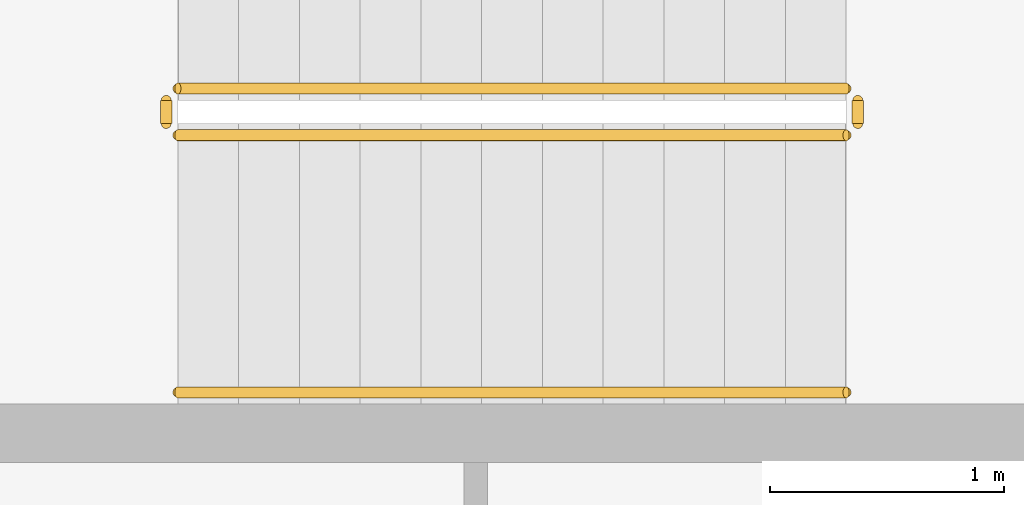
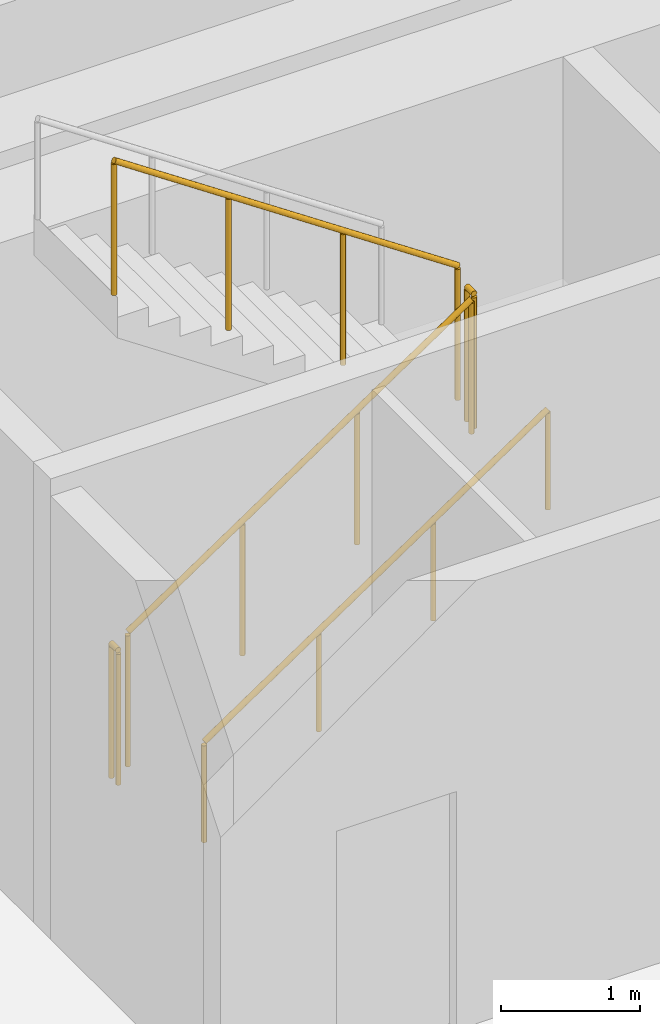
# One storey, part 21 of 25: 5 railings.
"""IFC4 building model written with IfcOpenShell, lengths in metres."""

from ifc_helpers import new_model, si_unit, direction, frame, origin, origin_2d, place, context, subcontext, project, spatial, circle, extrude, material, type_object, element, save


model = new_model("IFC4")

# Units and contexts
model_context = context("Model", 3, precision=1e-05, world=origin(), true_north=direction((0.0, 1.0)))
body_context = subcontext(model_context, "Body", "Model", "MODEL_VIEW")
ifc_project = project(units=[si_unit("LENGTHUNIT", "METRE"), si_unit("AREAUNIT", "SQUARE_METRE"), si_unit("VOLUMEUNIT", "CUBIC_METRE"), si_unit("PLANEANGLEUNIT", "RADIAN"), si_unit("MASSUNIT", "GRAM", prefix="KILO")], contexts=[model_context])

# Site, building, storey
site_placement = place(None, origin())
site = spatial("IfcSite", under=ifc_project, at=site_placement, CompositionType="ELEMENT")
building_placement = place(site_placement, origin())
building = spatial("IfcBuilding", under=site, at=building_placement, Name="Sahrelin Media Tower", CompositionType="ELEMENT")
storey_placement = place(building_placement, frame((0.0, 0.0, 135.60009765625)))
storey = spatial("IfcBuildingStorey", under=building, at=storey_placement, Name="L27", CompositionType="ELEMENT", Elevation=135.60009765625)

# Railings
ifc_material = material(Name="Steel S355", Category="steel")
railing_type_1 = type_object("IfcRailingType", Name="Stair guard 1200", PredefinedType="GUARDRAIL", material=ifc_material)
railing_1_placement = place(storey_placement, frame((-7.675048828125, 5.25, 0.1748046875)))
element("IfcRailing", 1, at=railing_1_placement, inside=storey, type_object=railing_type_1, Name="L27 ST1 stair guard 1", PredefinedType="GUARDRAIL", context=body_context, shape_type="SweptSolid", body=[
    extrude(circle(Radius=0.02392578125, at=origin_2d()), frame((0.0, 0.0, 1.17578125), z_axis=(0.829590901723, 0.0, 0.558371682465), x_axis=(0.0, 1.0, 0.0)), (0.0, 0.0, 1.0), 3.447509765625),
    extrude(circle(Radius=0.02099609375, at=origin_2d()), origin(), (0.0, 0.0, 1.0), 1.15185546875),
    extrude(circle(Radius=0.02099609375, at=origin_2d()), frame((0.953369140625, 0.0, 0.6416015625)), (0.0, 0.0, 1.0), 1.15185546875),
    extrude(circle(Radius=0.02099609375, at=origin_2d()), frame((1.90673828125, 0.0, 1.283447265625)), (0.0, 0.0, 1.0), 1.15185546875),
    extrude(circle(Radius=0.02099609375, at=origin_2d()), frame((2.860107421875, 0.0, 1.925048828125)), (0.0, 0.0, 1.0), 1.15185546875),
])
railing_2_placement = place(storey_placement, frame((-4.764892578125, 5.300048828125, 2.099853515625)))
element("IfcRailing", 2, at=railing_2_placement, inside=storey, type_object=railing_type_1, Name="L27 ST1 stair guard 2", PredefinedType="GUARDRAIL", context=body_context, shape_type="SweptSolid", body=[
    extrude(circle(Radius=0.02392578125, at=origin_2d()), frame((0.0, 0.0, 1.17578125), z_axis=(0.0, 1.0, 0.0), x_axis=(-1.0, 0.0, 0.0)), (0.0, 0.0, 1.0), 0.099853515625),
    extrude(circle(Radius=0.02099609375, at=origin_2d()), origin(), (0.0, 0.0, 1.0), 1.15185546875),
    extrude(circle(Radius=0.02099609375, at=origin_2d()), frame((0.0, 0.099853515625, 0.0)), (0.0, 0.0, 1.0), 1.15185546875),
])
railing_3_placement = place(storey_placement, frame((-4.81494140625, 5.449951171875, 2.27490234375)))
element("IfcRailing", 3, at=railing_3_placement, inside=storey, type_object=railing_type_1, Name="L27 ST1 stair guard 3", PredefinedType="GUARDRAIL", context=body_context, shape_type="SweptSolid", body=[
    extrude(circle(Radius=0.02392578125, at=origin_2d()), frame((0.0, 0.0, 1.17578125), z_axis=(-0.829590901723, 0.0, 0.558371682465), x_axis=(0.0, -1.0, 0.0)), (0.0, 0.0, 1.0), 3.447509765625),
    extrude(circle(Radius=0.02099609375, at=origin_2d()), origin(), (0.0, 0.0, 1.0), 1.15185546875),
    extrude(circle(Radius=0.02099609375, at=origin_2d()), frame((-0.953369140625, 0.0, 0.6416015625)), (0.0, 0.0, 1.0), 1.15185546875),
    extrude(circle(Radius=0.02099609375, at=origin_2d()), frame((-1.90673828125, 0.0, 1.283447265625)), (0.0, 0.0, 1.0), 1.15185546875),
    extrude(circle(Radius=0.02099609375, at=origin_2d()), frame((-2.860107421875, 0.0, 1.925048828125)), (0.0, 0.0, 1.0), 1.15185546875),
])
railing_4_placement = place(storey_placement, frame((-7.72509765625, 5.300048828125, 0.0)))
element("IfcRailing", 4, at=railing_4_placement, inside=storey, type_object=railing_type_1, Name="L27 ST1 stair guard 4", PredefinedType="GUARDRAIL", context=body_context, shape_type="SweptSolid", body=[
    extrude(circle(Radius=0.02392578125, at=origin_2d()), frame((0.0, 0.0, 1.17578125), z_axis=(0.0, 1.0, 0.0), x_axis=(-1.0, 0.0, 0.0)), (0.0, 0.0, 1.0), 0.099853515625),
    extrude(circle(Radius=0.02099609375, at=origin_2d()), origin(), (0.0, 0.0, 1.0), 1.15185546875),
    extrude(circle(Radius=0.02099609375, at=origin_2d()), frame((0.0, 0.099853515625, 0.0)), (0.0, 0.0, 1.0), 1.15185546875),
])
railing_type_2 = type_object("IfcRailingType", Name="Stair handrail 900", PredefinedType="HANDRAIL", material=ifc_material)
railing_5_placement = place(storey_placement, frame((-7.675048828125, 4.14990234375, 0.1748046875)))
element("IfcRailing", 5, at=railing_5_placement, inside=storey, type_object=railing_type_2, Name="L27 ST1 stair handrail 1", PredefinedType="HANDRAIL", context=body_context, shape_type="SweptSolid", body=[
    extrude(circle(Radius=0.02392578125, at=origin_2d()), frame((0.0, 0.0, 0.8759765625), z_axis=(0.829590901723, 0.0, 0.558371682465), x_axis=(0.0, 1.0, 0.0)), (0.0, 0.0, 1.0), 3.447509765625),
    extrude(circle(Radius=0.02099609375, at=origin_2d()), origin(), (0.0, 0.0, 1.0), 0.851806640625),
    extrude(circle(Radius=0.02099609375, at=origin_2d()), frame((0.953369140625, 0.0, 0.6416015625)), (0.0, 0.0, 1.0), 0.851806640625),
    extrude(circle(Radius=0.02099609375, at=origin_2d()), frame((1.90673828125, 0.0, 1.283447265625)), (0.0, 0.0, 1.0), 0.851806640625),
    extrude(circle(Radius=0.02099609375, at=origin_2d()), frame((2.860107421875, 0.0, 1.925048828125)), (0.0, 0.0, 1.0), 0.851806640625),
])

save(model, "model.ifc")
